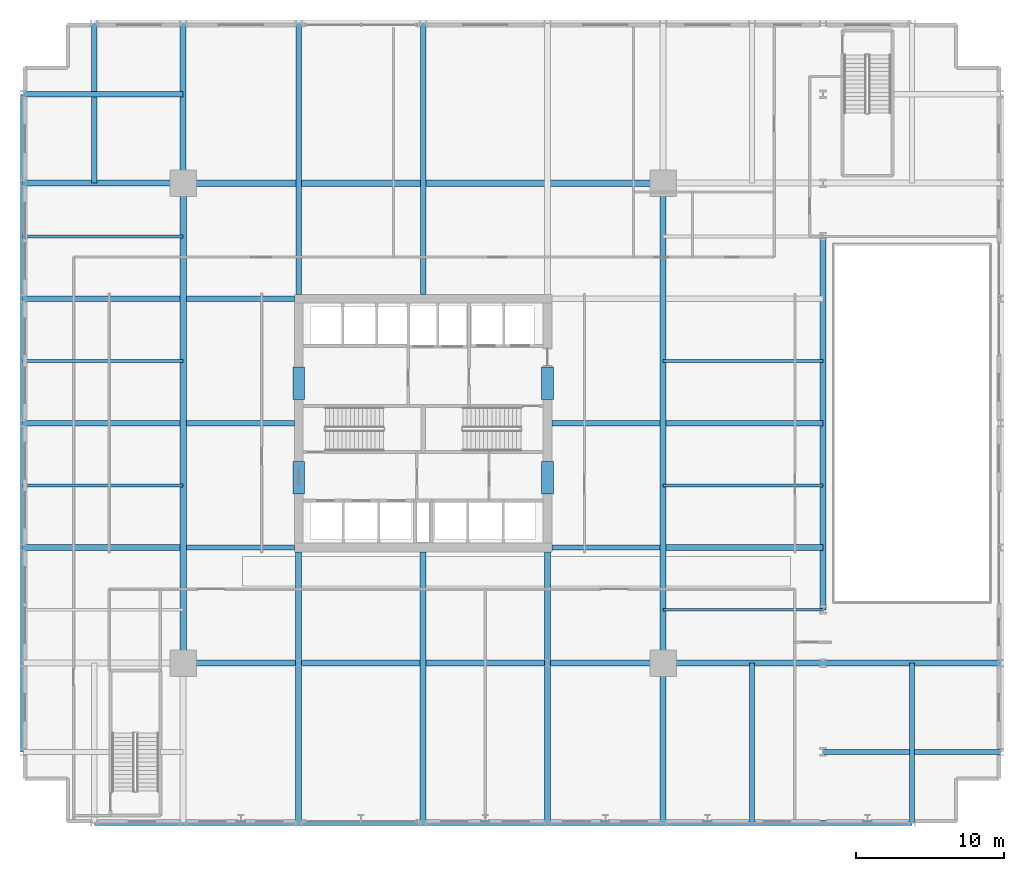
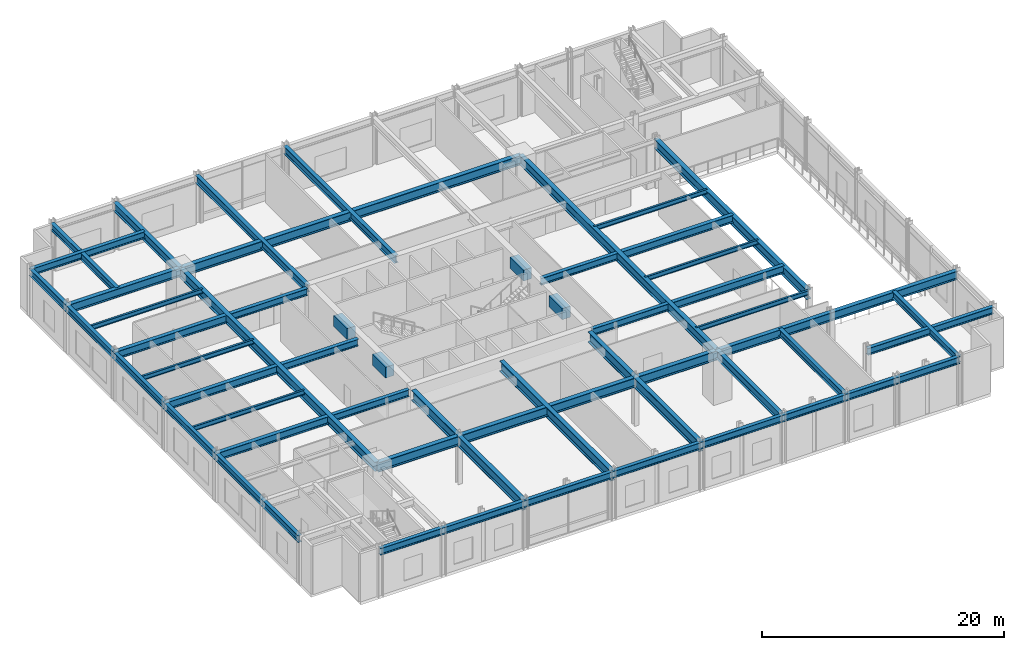
# One storey, part 4 of 20: 42 beams.
"""IFC4 building model written with IfcOpenShell, lengths in metres."""

from ifc_helpers import new_model, si_unit, direction, frame, origin, origin_2d, place, context, subcontext, project, spatial, rectangle, i_section, extrude, material, material_profile, profile_set, type_object, element, save


model = new_model("IFC4")

# Units and contexts
model_context = context("Model", 3, precision=1e-05, world=origin(), true_north=direction((0.0, 1.0)))
body_context = subcontext(model_context, "Body", "Model", "MODEL_VIEW")
ifc_project = project(units=[si_unit("LENGTHUNIT", "METRE"), si_unit("AREAUNIT", "SQUARE_METRE"), si_unit("VOLUMEUNIT", "CUBIC_METRE"), si_unit("PLANEANGLEUNIT", "RADIAN"), si_unit("MASSUNIT", "GRAM", prefix="KILO")], contexts=[model_context])

# Site, building, storey
site_placement = place(None, origin())
site = spatial("IfcSite", under=ifc_project, at=site_placement, CompositionType="ELEMENT")
building_placement = place(site_placement, origin())
building = spatial("IfcBuilding", under=site, at=building_placement, Name="Drelvath Grand Hotel", CompositionType="ELEMENT")
storey_placement = place(building_placement, frame((0.0, 0.0, 5.60009765625)))
storey = spatial("IfcBuildingStorey", under=building, at=storey_placement, Name="L01", CompositionType="ELEMENT", Elevation=5.60009765625)

# Beams
ifc_material_1 = material(Name="Steel ASTM A992 Gr 50", Category="steel")
ifc_material_profile_1 = material_profile(ifc_material_1, i_section(OverallWidth=0.19140625, OverallDepth=0.4599609375, WebThickness=0.010009765625, FlangeThickness=0.01611328125, FilletRadius=0.01611328125, at=origin_2d()), Name="W18X55")
ifc_profile_set_1 = profile_set([ifc_material_profile_1], Name="Steel ASTM A992 Gr 50")
beam_type_1 = type_object("IfcBeamType", Name="Composite Floor Joist W18X55", PredefinedType="JOIST", material=ifc_profile_set_1)
for number, where, z_axis, x_axis, name in (
    (1, (-27.0, 22.800048828125, 4.619873046875), (1.0, 0.0, 0.0), (0.0, 1.0, 0.0), "L01 West Composite Joist J1"),
    (2, (16.199951171875, 22.800048828125, 4.619873046875), (1.0, 0.0, 0.0), (0.0, 1.0, 0.0), "L01 East Composite Joist J1"),
    (3, (-27.0, 31.199951171875, 4.619873046875), (1.0, 0.0, 0.0), (0.0, 1.0, 0.0), "L01 West Composite Joist J2"),
    (4, (16.199951171875, 31.199951171875, 4.619873046875), (1.0, 0.0, 0.0), (0.0, 1.0, 0.0), "L01 East Composite Joist J2"),
    (5, (16.199951171875, 14.39990234375, 4.619873046875), (1.0, 0.0, 0.0), (0.0, 1.0, 0.0), "L01 East Composite Joist J3"),
    (6, (-27.0, 39.60009765625, 4.619873046875), (1.0, 0.0, 0.0), (0.0, 1.0, 0.0), "L01 West Composite Joist J4"),
):
    element("IfcBeam", number, at=place(storey_placement, frame(where, z_axis=z_axis, x_axis=x_axis)), inside=storey, type_object=beam_type_1, Name=name, PredefinedType="JOIST", context=body_context, shape_type="SweptSolid", body=[
        extrude(i_section(OverallWidth=0.19140625, OverallDepth=0.4599609375, WebThickness=0.010009765625, FlangeThickness=0.01611328125, FilletRadius=0.01611328125, at=origin_2d()), origin(), (0.0, 0.0, 1.0), 10.800048828125),
    ])
ifc_material_2 = material(Name="Concrete f'c 70 MPa", Category="concrete")
ifc_material_profile_2 = material_profile(ifc_material_2, rectangle(XDim=0.800048828125, YDim=1.10009765625, at=origin_2d()), Name="CB800X1100")
ifc_profile_set_2 = profile_set([ifc_material_profile_2], Name="Concrete f'c 70 MPa")
beam_type_2 = type_object("IfcBeamType", Name="Core Coupling Lintel CB800X1100", PredefinedType="LINTEL", material=ifc_profile_set_2)
for number, where, z_axis, x_axis, name in (
    (7, (-8.39990234375, 22.199951171875, 4.2998046875), (0.0, 1.0, 0.0), (-1.0, 0.0, 0.0), "L01 Core Coupling Lintel WS"),
    (8, (-8.39990234375, 28.60009765625, 4.2998046875), (0.0, 1.0, 0.0), (-1.0, 0.0, 0.0), "L01 Core Coupling Lintel WN"),
    (9, (8.39990234375, 22.199951171875, 4.2998046875), (0.0, 1.0, 0.0), (-1.0, 0.0, 0.0), "L01 Core Coupling Lintel ES"),
    (10, (8.39990234375, 28.60009765625, 4.2998046875), (0.0, 1.0, 0.0), (-1.0, 0.0, 0.0), "L01 Core Coupling Lintel EN"),
):
    element("IfcBeam", number, at=place(storey_placement, frame(where, z_axis=z_axis, x_axis=x_axis)), inside=storey, type_object=beam_type_2, Name=name, PredefinedType="LINTEL", context=body_context, shape_type="SweptSolid", body=[
        extrude(rectangle(XDim=0.800048828125, YDim=1.10009765625, at=origin_2d()), origin(), (0.0, 0.0, 1.0), 2.199951171875),
    ])
ifc_material_profile_3 = material_profile(ifc_material_1, i_section(OverallWidth=0.354736328125, OverallDepth=0.695556640625, WebThickness=0.015380859375, FlangeThickness=0.025146484375, FilletRadius=0.02392578125, at=origin_2d()), Name="W27X146")
ifc_profile_set_3 = profile_set([ifc_material_profile_3], Name="Steel ASTM A992 Gr 50")
beam_type_3 = type_object("IfcBeamType", Name="Perimeter Spandrel Beam W27X146", PredefinedType="SPANDREL", material=ifc_profile_set_3)
beam_1_placement = place(storey_placement, frame((-27.0, 4.800048828125, 4.502197265625), z_axis=(0.0, 1.0, 0.0), x_axis=(-1.0, 0.0, 0.0)))
element("IfcBeam", 11, at=beam_1_placement, inside=storey, type_object=beam_type_3, Name="L01 Podium Perimeter Spandrel SPW1", PredefinedType="SPANDREL", context=body_context, shape_type="SweptSolid", body=[
    extrude(i_section(OverallWidth=0.354736328125, OverallDepth=0.695556640625, WebThickness=0.015380859375, FlangeThickness=0.025146484375, FilletRadius=0.02392578125, at=origin_2d()), origin(), (0.0, 0.0, 1.0), 44.39990234375),
])
beam_2_placement = place(storey_placement, frame((-22.199951171875, 0.0, 4.502197265625), z_axis=(1.0, 0.0, 0.0), x_axis=(0.0, 1.0, 0.0)))
element("IfcBeam", 12, at=beam_2_placement, inside=storey, type_object=beam_type_3, Name="L01 Podium Perimeter Spandrel SPS1", PredefinedType="SPANDREL", context=body_context, shape_type="SweptSolid", body=[
    extrude(i_section(OverallWidth=0.354736328125, OverallDepth=0.695556640625, WebThickness=0.015380859375, FlangeThickness=0.025146484375, FilletRadius=0.02392578125, at=origin_2d()), origin(), (0.0, 0.0, 1.0), 55.199951171875),
])
ifc_material_profile_4 = material_profile(ifc_material_1, i_section(OverallWidth=0.354736328125, OverallDepth=0.695556640625, WebThickness=0.015380859375, FlangeThickness=0.025146484375, FilletRadius=0.02392578125, at=origin_2d()), Name="W27X146")
ifc_profile_set_4 = profile_set([ifc_material_profile_4], Name="Steel ASTM A992 Gr 50")
beam_type_4 = type_object("IfcBeamType", Name="Primary Floor Girder W27X146", PredefinedType="BEAM", material=ifc_profile_set_4)
for number, where, z_axis, x_axis, name in (
    (13, (-15.988525390625, 18.60009765625, 4.502197265625), (1.0, 0.0, 0.0), (0.0, 1.0, 0.0), "L01 West Core Girder D"),
    (14, (8.699951171875, 18.60009765625, 4.502197265625), (1.0, 0.0, 0.0), (0.0, 1.0, 0.0), "L01 East Core Girder D"),
    (15, (-15.988525390625, 27.0, 4.502197265625), (1.0, 0.0, 0.0), (0.0, 1.0, 0.0), "L01 West Core Girder E"),
    (16, (8.699951171875, 27.0, 4.502197265625), (1.0, 0.0, 0.0), (0.0, 1.0, 0.0), "L01 East Core Girder E"),
    (17, (-15.988525390625, 35.39990234375, 4.502197265625), (1.0, 0.0, 0.0), (0.0, 1.0, 0.0), "L01 West Core Girder F"),
):
    element("IfcBeam", number, at=place(storey_placement, frame(where, z_axis=z_axis, x_axis=x_axis)), inside=storey, type_object=beam_type_4, Name=name, PredefinedType="BEAM", context=body_context, shape_type="SweptSolid", body=[
        extrude(i_section(OverallWidth=0.354736328125, OverallDepth=0.695556640625, WebThickness=0.015380859375, FlangeThickness=0.025146484375, FilletRadius=0.02392578125, at=origin_2d()), origin(), (0.0, 0.0, 1.0), 7.28857421875),
    ])
beam_3_placement = place(storey_placement, frame((27.0, 4.800048828125, 4.502197265625), z_axis=(1.0, 0.0, 0.0), x_axis=(0.0, 1.0, 0.0)))
element("IfcBeam", 18, at=beam_3_placement, inside=storey, type_object=beam_type_4, Name="L01 East Corner Tie B", PredefinedType="BEAM", context=body_context, shape_type="SweptSolid", body=[
    extrude(i_section(OverallWidth=0.354736328125, OverallDepth=0.695556640625, WebThickness=0.015380859375, FlangeThickness=0.025146484375, FilletRadius=0.02392578125, at=origin_2d()), origin(), (0.0, 0.0, 1.0), 12.0),
])
for number, where, z_axis, x_axis, name in (
    (19, (-27.0, 49.199951171875, 4.502197265625), (1.0, 0.0, 0.0), (0.0, 1.0, 0.0), "L01 West Corner Tie H"),
    (20, (-22.199951171875, 43.199951171875, 4.502197265625), (0.0, 1.0, 0.0), (-1.0, 0.0, 0.0), "L01 North Corner Tie 2"),
    (21, (22.199951171875, 0.0, 4.502197265625), (0.0, 1.0, 0.0), (-1.0, 0.0, 0.0), "L01 South Corner Tie 8"),
    (22, (33.0, 0.0, 4.502197265625), (0.0, 1.0, 0.0), (-1.0, 0.0, 0.0), "L01 South Corner Tie 10"),
):
    element("IfcBeam", number, at=place(storey_placement, frame(where, z_axis=z_axis, x_axis=x_axis)), inside=storey, type_object=beam_type_4, Name=name, PredefinedType="BEAM", context=body_context, shape_type="SweptSolid", body=[
        extrude(i_section(OverallWidth=0.354736328125, OverallDepth=0.695556640625, WebThickness=0.015380859375, FlangeThickness=0.025146484375, FilletRadius=0.02392578125, at=origin_2d()), origin(), (0.0, 0.0, 1.0), 10.800048828125),
    ])
ifc_material_profile_5 = material_profile(ifc_material_1, i_section(OverallWidth=0.380615234375, OverallDepth=0.773193359375, WebThickness=0.0166015625, FlangeThickness=0.027099609375, FilletRadius=0.02490234375, at=origin_2d()), Name="W30X173")
ifc_profile_set_5 = profile_set([ifc_material_profile_5], Name="Steel ASTM A992 Gr 50")
beam_type_5 = type_object("IfcBeamType", Name="Primary Floor Girder W30X173", PredefinedType="BEAM", material=ifc_profile_set_5)
for number, where, z_axis, x_axis, name in (
    (23, (-8.39990234375, 35.699951171875, 4.46337890625), (0.0, 1.0, 0.0), (-1.0, 0.0, 0.0), "L01 North Span Girder Grid 4"),
    (24, (0.0, 35.699951171875, 4.46337890625), (0.0, 1.0, 0.0), (-1.0, 0.0, 0.0), "L01 North Span Girder Grid 5"),
):
    element("IfcBeam", number, at=place(storey_placement, frame(where, z_axis=z_axis, x_axis=x_axis)), inside=storey, type_object=beam_type_5, Name=name, PredefinedType="BEAM", context=body_context, shape_type="SweptSolid", body=[
        extrude(i_section(OverallWidth=0.380615234375, OverallDepth=0.773193359375, WebThickness=0.0166015625, FlangeThickness=0.027099609375, FilletRadius=0.02490234375, at=origin_2d()), origin(), (0.0, 0.0, 1.0), 18.300048828125),
    ])
for number, where, z_axis, x_axis, name in (
    (25, (-27.0, 18.60009765625, 4.46337890625), (1.0, 0.0, 0.0), (0.0, 1.0, 0.0), "L01 West Bay Girder D"),
    (26, (16.41162109375, 18.60009765625, 4.46337890625), (1.0, 0.0, 0.0), (0.0, 1.0, 0.0), "L01 East Bay Girder D"),
    (27, (-27.0, 27.0, 4.46337890625), (1.0, 0.0, 0.0), (0.0, 1.0, 0.0), "L01 West Bay Girder E"),
    (28, (16.41162109375, 27.0, 4.46337890625), (1.0, 0.0, 0.0), (0.0, 1.0, 0.0), "L01 East Bay Girder E"),
    (29, (-27.0, 35.39990234375, 4.46337890625), (1.0, 0.0, 0.0), (0.0, 1.0, 0.0), "L01 West Bay Girder F"),
):
    element("IfcBeam", number, at=place(storey_placement, frame(where, z_axis=z_axis, x_axis=x_axis)), inside=storey, type_object=beam_type_5, Name=name, PredefinedType="BEAM", context=body_context, shape_type="SweptSolid", body=[
        extrude(i_section(OverallWidth=0.380615234375, OverallDepth=0.773193359375, WebThickness=0.0166015625, FlangeThickness=0.027099609375, FilletRadius=0.02490234375, at=origin_2d()), origin(), (0.0, 0.0, 1.0), 10.58837890625),
    ])
ifc_material_profile_6 = material_profile(ifc_material_1, i_section(OverallWidth=0.39990234375, OverallDepth=0.85546875, WebThickness=0.018310546875, FlangeThickness=0.029296875, FilletRadius=0.02490234375, at=origin_2d()), Name="W33X201")
ifc_profile_set_6 = profile_set([ifc_material_profile_6], Name="Steel ASTM A992 Gr 50")
beam_type_6 = type_object("IfcBeamType", Name="Primary Floor Girder W33X201", PredefinedType="BEAM", material=ifc_profile_set_6)
beam_4_placement = place(storey_placement, frame((16.199951171875, 10.800048828125, 4.422119140625), z_axis=(1.0, 0.0, 0.0), x_axis=(0.0, 1.0, 0.0)))
element("IfcBeam", 30, at=beam_4_placement, inside=storey, type_object=beam_type_6, Name="L01 East Podium Girder 1 C", PredefinedType="BEAM", context=body_context, shape_type="SweptSolid", body=[
    extrude(i_section(OverallWidth=0.39990234375, OverallDepth=0.85546875, WebThickness=0.018310546875, FlangeThickness=0.029296875, FilletRadius=0.02490234375, at=origin_2d()), origin(), (0.0, 0.0, 1.0), 10.800048828125),
])
beam_5_placement = place(storey_placement, frame((27.0, 10.800048828125, 4.422119140625), z_axis=(1.0, 0.0, 0.0), x_axis=(0.0, 1.0, 0.0)))
element("IfcBeam", 31, at=beam_5_placement, inside=storey, type_object=beam_type_6, Name="L01 East Podium Girder 2 C", PredefinedType="BEAM", context=body_context, shape_type="SweptSolid", body=[
    extrude(i_section(OverallWidth=0.39990234375, OverallDepth=0.85546875, WebThickness=0.018310546875, FlangeThickness=0.029296875, FilletRadius=0.02490234375, at=origin_2d()), origin(), (0.0, 0.0, 1.0), 12.0),
])
for number, where, z_axis, x_axis, name in (
    (32, (-27.0, 43.199951171875, 4.422119140625), (1.0, 0.0, 0.0), (0.0, 1.0, 0.0), "L01 West Podium Girder G"),
    (33, (-16.199951171875, 43.199951171875, 4.422119140625), (0.0, 1.0, 0.0), (-1.0, 0.0, 0.0), "L01 North Podium Girder 3"),
    (34, (16.199951171875, 0.0, 4.422119140625), (0.0, 1.0, 0.0), (-1.0, 0.0, 0.0), "L01 South Podium Girder 7"),
):
    element("IfcBeam", number, at=place(storey_placement, frame(where, z_axis=z_axis, x_axis=x_axis)), inside=storey, type_object=beam_type_6, Name=name, PredefinedType="BEAM", context=body_context, shape_type="SweptSolid", body=[
        extrude(i_section(OverallWidth=0.39990234375, OverallDepth=0.85546875, WebThickness=0.018310546875, FlangeThickness=0.029296875, FilletRadius=0.02490234375, at=origin_2d()), origin(), (0.0, 0.0, 1.0), 10.800048828125),
    ])
ifc_material_profile_7 = material_profile(ifc_material_1, i_section(OverallWidth=0.423095703125, OverallDepth=0.9482421875, WebThickness=0.02392578125, FlangeThickness=0.042724609375, FilletRadius=0.028076171875, at=origin_2d()), Name="W36X302")
ifc_profile_set_7 = profile_set([ifc_material_profile_7], Name="Steel ASTM A992 Gr 50")
beam_type_7 = type_object("IfcBeamType", Name="Primary Floor Girder W36X302", PredefinedType="BEAM", material=ifc_profile_set_7)
for number, where, z_axis, x_axis, name in (
    (35, (-16.199951171875, 10.800048828125, 4.375732421875), (1.0, 0.0, 0.0), (0.0, 1.0, 0.0), "L01 Mega Frame Girder South"),
    (36, (-16.199951171875, 43.199951171875, 4.375732421875), (1.0, 0.0, 0.0), (0.0, 1.0, 0.0), "L01 Mega Frame Girder North"),
    (37, (-16.199951171875, 10.800048828125, 4.375732421875), (0.0, 1.0, 0.0), (-1.0, 0.0, 0.0), "L01 Mega Frame Girder West"),
    (38, (16.199951171875, 10.800048828125, 4.375732421875), (0.0, 1.0, 0.0), (-1.0, 0.0, 0.0), "L01 Mega Frame Girder East"),
):
    element("IfcBeam", number, at=place(storey_placement, frame(where, z_axis=z_axis, x_axis=x_axis)), inside=storey, type_object=beam_type_7, Name=name, PredefinedType="BEAM", context=body_context, shape_type="SweptSolid", body=[
        extrude(i_section(OverallWidth=0.423095703125, OverallDepth=0.9482421875, WebThickness=0.02392578125, FlangeThickness=0.042724609375, FilletRadius=0.028076171875, at=origin_2d()), origin(), (0.0, 0.0, 1.0), 32.39990234375),
    ])
beam_6_placement = place(storey_placement, frame((27.0, 14.39990234375, 4.375732421875), z_axis=(0.0, 1.0, 0.0), x_axis=(-1.0, 0.0, 0.0)))
element("IfcBeam", 39, at=beam_6_placement, inside=storey, type_object=beam_type_7, Name="L01 Atrium Edge Girder Grid 9", PredefinedType="BEAM", context=body_context, shape_type="SweptSolid", body=[
    extrude(i_section(OverallWidth=0.423095703125, OverallDepth=0.9482421875, WebThickness=0.02392578125, FlangeThickness=0.042724609375, FilletRadius=0.028076171875, at=origin_2d()), origin(), (0.0, 0.0, 1.0), 25.2001953125),
])
ifc_material_profile_8 = material_profile(ifc_material_1, i_section(OverallWidth=0.40966796875, OverallDepth=1.037353515625, WebThickness=0.031005859375, FlangeThickness=0.055908203125, FilletRadius=0.030029296875, at=origin_2d()), Name="W40X397")
ifc_profile_set_8 = profile_set([ifc_material_profile_8], Name="Steel ASTM A992 Gr 50")
beam_type_8 = type_object("IfcBeamType", Name="Primary Floor Girder W40X397", PredefinedType="BEAM", material=ifc_profile_set_8)
for number, where, z_axis, x_axis, name in (
    (40, (-8.39990234375, 0.0, 4.331298828125), (0.0, 1.0, 0.0), (-1.0, 0.0, 0.0), "L01 South Span Girder Grid 4"),
    (41, (0.0, 0.0, 4.331298828125), (0.0, 1.0, 0.0), (-1.0, 0.0, 0.0), "L01 South Span Girder Grid 5"),
    (42, (8.39990234375, 0.0, 4.331298828125), (0.0, 1.0, 0.0), (-1.0, 0.0, 0.0), "L01 South Span Girder Grid 6"),
):
    element("IfcBeam", number, at=place(storey_placement, frame(where, z_axis=z_axis, x_axis=x_axis)), inside=storey, type_object=beam_type_8, Name=name, PredefinedType="BEAM", context=body_context, shape_type="SweptSolid", body=[
        extrude(i_section(OverallWidth=0.40966796875, OverallDepth=1.037353515625, WebThickness=0.031005859375, FlangeThickness=0.055908203125, FilletRadius=0.030029296875, at=origin_2d()), origin(), (0.0, 0.0, 1.0), 18.300048828125),
    ])

save(model, "model.ifc")
